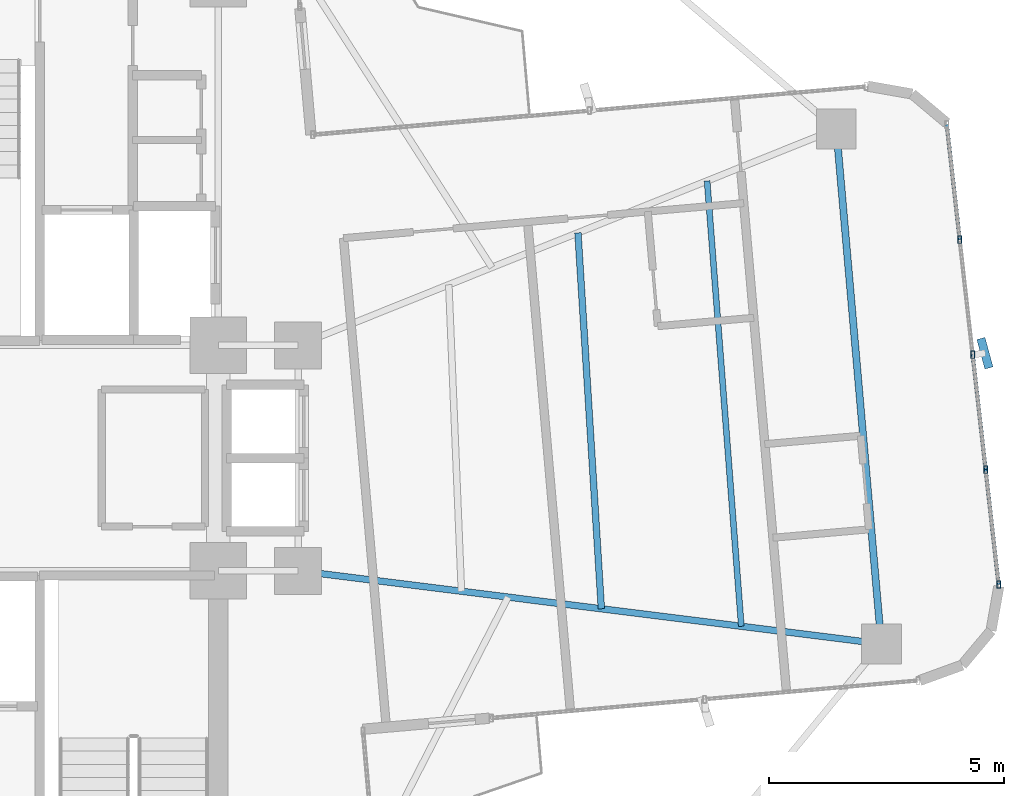
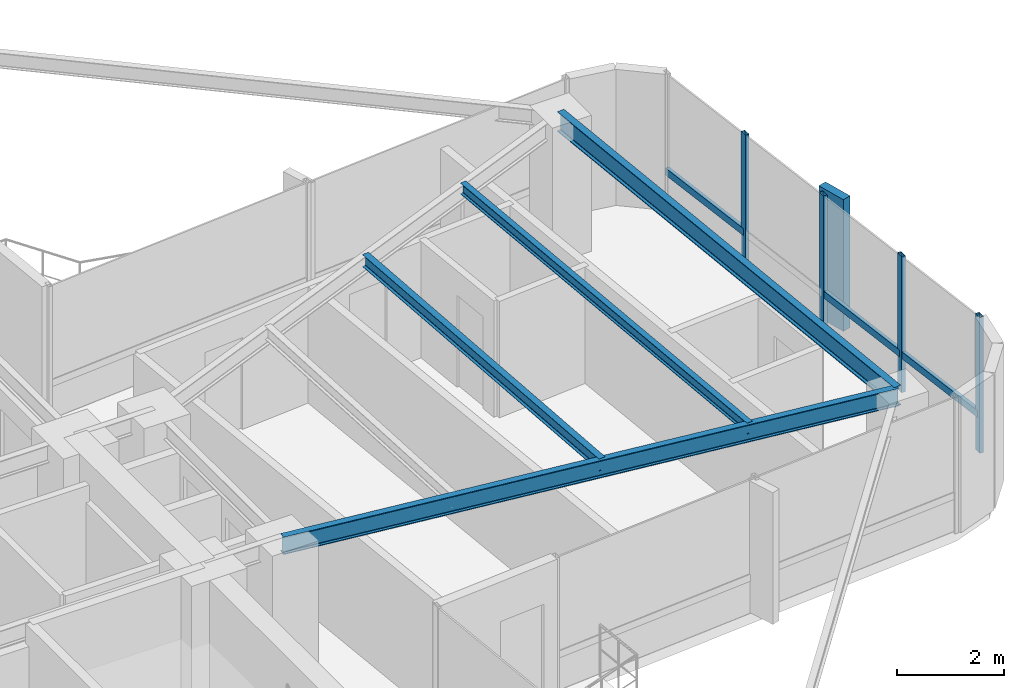
# One storey, part 14 of 24: 8 members, 4 beams, 1 element without a shape of its own.
"""IFC4 building model written with IfcOpenShell, lengths in metres."""

from ifc_helpers import new_model, si_unit, direction, frame, origin, origin_2d, place, context, subcontext, project, spatial, rectangle, hollow_rectangle, i_section, extrude, source, transform, mapped, material, material_profile, profile_set, type_object, element, aggregate, save


model = new_model("IFC4")

# Units and contexts
model_context = context("Model", 3, precision=1e-05, world=origin(), true_north=direction((0.0, 1.0)))
body_context = subcontext(model_context, "Body", "Model", "MODEL_VIEW")
ifc_project = project(units=[si_unit("LENGTHUNIT", "METRE"), si_unit("AREAUNIT", "SQUARE_METRE"), si_unit("VOLUMEUNIT", "CUBIC_METRE"), si_unit("PLANEANGLEUNIT", "RADIAN"), si_unit("MASSUNIT", "GRAM", prefix="KILO")], contexts=[model_context])

# Site, building, storey
site_placement = place(None, origin())
site = spatial("IfcSite", under=ifc_project, at=site_placement, CompositionType="ELEMENT")
building_placement = place(site_placement, origin())
building = spatial("IfcBuilding", under=site, at=building_placement, Name="Sahyath Konkavel Grand Hotel", CompositionType="ELEMENT")
storey_placement = place(building_placement, frame((0.0, 0.0, 150.60009765625)))
storey = spatial("IfcBuildingStorey", under=building, at=storey_placement, Name="L41", CompositionType="ELEMENT", Elevation=150.60009765625)

# Beams
ifc_material_1 = material(Name="Steel E350", Category="steel")
ifc_material_profile_1 = material_profile(ifc_material_1, i_section(OverallWidth=0.139892578125, OverallDepth=0.39990234375, WebThickness=0.0087890625, FlangeThickness=0.01611328125, FilletRadius=0.013916015625, at=origin_2d()), Name="ISMB 400")
ifc_profile_set_1 = profile_set([ifc_material_profile_1], Name="Steel E350")
beam_type_1 = type_object("IfcBeamType", Name="BM-ISMB400", PredefinedType="BEAM", material=ifc_profile_set_1)
shared_shape_1 = source(origin(), body_context, "Body", "SweptSolid", [
    extrude(i_section(OverallWidth=0.139892578125, OverallDepth=0.39990234375, WebThickness=0.0087890625, FlangeThickness=0.01611328125, FilletRadius=0.013916015625, at=origin_2d()), origin(), (0.0, 0.0, 1.0), 12.509765625),
])
beam_1_placement = place(storey_placement, frame((5.5, -2.39990234375, 2.909912109375), z_axis=(0.992254740459, -0.124219684578, 0.0), x_axis=(0.124219684578, 0.992254740459, 0.0)))
element("IfcBeam", 1, at=beam_1_placement, inside=storey, type_object=beam_type_1, Name="L41 Cruciform Radial Girder EA", PredefinedType="BEAM", context=body_context, shape_type="MappedRepresentation", body=[
    mapped(shared_shape_1, transform((0.0, 0.0, 0.0), scale=1.0)),
])
ifc_material_profile_2 = material_profile(ifc_material_1, i_section(OverallWidth=0.14990234375, OverallDepth=0.449951171875, WebThickness=0.009521484375, FlangeThickness=0.017333984375, FilletRadius=0.014892578125, at=origin_2d()), Name="ISMB 450")
ifc_profile_set_2 = profile_set([ifc_material_profile_2], Name="Steel E350")
beam_type_2 = type_object("IfcBeamType", Name="BM-ISMB450", PredefinedType="BEAM", material=ifc_profile_set_2)
shared_shape_2 = source(origin(), body_context, "Body", "SweptSolid", [
    extrude(i_section(OverallWidth=0.14990234375, OverallDepth=0.449951171875, WebThickness=0.009521484375, FlangeThickness=0.017333984375, FilletRadius=0.014892578125, at=origin_2d()), origin(), (0.0, 0.0, 1.0), 11.0),
])
beam_2_placement = place(storey_placement, frame((17.912841796875, -3.953857421875, 2.885009765625), z_axis=(-0.087157314015, 0.996194560622, 0.0), x_axis=(-0.996194560622, -0.087157314015, 0.0)))
element("IfcBeam", 2, at=beam_2_placement, inside=storey, type_object=beam_type_2, Name="L41 Wing Tip Edge Beam E", PredefinedType="BEAM", context=body_context, shape_type="MappedRepresentation", body=[
    mapped(shared_shape_2, transform((0.0, 0.0, 0.0), scale=1.0)),
])
ifc_material_profile_3 = material_profile(ifc_material_1, i_section(OverallWidth=0.139892578125, OverallDepth=0.27490234375, WebThickness=0.00634765625, FlangeThickness=0.0087890625, FilletRadius=0.012939453125, at=origin_2d()), Name="ISLB 275")
ifc_profile_set_3 = profile_set([ifc_material_profile_3], Name="Steel E350")
beam_type_3 = type_object("IfcBeamType", Name="BM-ISLB275", PredefinedType="BEAM", material=ifc_profile_set_3)
shared_shape_3 = source(origin(), body_context, "Body", "SweptSolid", [
    extrude(i_section(OverallWidth=0.139892578125, OverallDepth=0.27490234375, WebThickness=0.00634765625, FlangeThickness=0.0087890625, FilletRadius=0.012939453125, at=origin_2d()), origin(), (0.0, 0.0, 1.0), 8.017822265625),
])
beam_3_placement = place(storey_placement, frame((11.95458984375, -3.2080078125, 2.972412109375), z_axis=(-0.062179233264, 0.998064999362, 0.0), x_axis=(-0.998064999362, -0.062179233264, 0.0)))
element("IfcBeam", 3, at=beam_3_placement, inside=storey, type_object=beam_type_3, Name="L41 Secondary Floor Beam E-2", PredefinedType="BEAM", context=body_context, shape_type="MappedRepresentation", body=[
    mapped(shared_shape_3, transform((0.0, 0.0, 0.0), scale=1.0)),
])
ifc_material_profile_4 = material_profile(ifc_material_1, i_section(OverallWidth=0.125, OverallDepth=0.25, WebThickness=0.0068359375, FlangeThickness=0.012451171875, FilletRadius=0.012939453125, at=origin_2d()), Name="ISMB 250")
ifc_profile_set_4 = profile_set([ifc_material_profile_4], Name="Steel E350")
beam_type_4 = type_object("IfcBeamType", Name="BM-ISMB250", PredefinedType="BEAM", material=ifc_profile_set_4)
shared_shape_4 = source(origin(), body_context, "Body", "SweptSolid", [
    extrude(i_section(OverallWidth=0.125, OverallDepth=0.25, WebThickness=0.0068359375, FlangeThickness=0.012451171875, FilletRadius=0.012939453125, at=origin_2d()), origin(), (0.0, 0.0, 1.0), 9.508056640625),
])
beam_4_placement = place(storey_placement, frame((14.93359375, -3.580810546875, 2.98486328125), z_axis=(-0.076619921029, 0.997060373148, 0.0), x_axis=(-0.997060373148, -0.076619921029, 0.0)))
element("IfcBeam", 4, at=beam_4_placement, inside=storey, type_object=beam_type_4, Name="L41 Secondary Floor Beam E-3", PredefinedType="BEAM", context=body_context, shape_type="MappedRepresentation", body=[
    mapped(shared_shape_4, transform((0.0, 0.0, 0.0), scale=1.0)),
])

# Curtain wall, members
ifc_material_2 = material(Name="Anodised Bronze Aluminium & Low-E Glazing", Category="aluminium")
curtain_wall_type = type_object("IfcCurtainWallType", Name="CW-ZONE3", PredefinedType="NOTDEFINED", material=ifc_material_2)
curtain_wall_placement = place(storey_placement, origin())
curtain_wall = element("IfcCurtainWall", 5, at=curtain_wall_placement, inside=storey, type_object=curtain_wall_type, Name="L41 Unitised Curtain Wall F4", PredefinedType="NOTDEFINED")
ifc_material_3 = material(Name="Anodised Bronze Aluminium", Category="aluminium")
ifc_material_profile_5 = material_profile(ifc_material_3, hollow_rectangle(XDim=0.080078125, YDim=0.159912109375, WallThickness=0.006103515625, at=origin_2d()), Name="RHS 160x80x6")
ifc_profile_set_5 = profile_set([ifc_material_profile_5], Name="Anodised Bronze Aluminium")
member_type_1 = type_object("IfcMemberType", Name="CW-MUL-160", PredefinedType="MULLION", material=ifc_profile_set_5)
shared_shape_5 = source(origin(), body_context, "Body", "SweptSolid", [
    extrude(hollow_rectangle(XDim=0.080078125, YDim=0.159912109375, WallThickness=0.006103515625, at=origin_2d()), origin(), (0.0, 0.0, 1.0), 3.10986328125),
])
member_1_placement = place(storey_placement, frame((20.4111328125, -2.69140625, 0.0), z_axis=(0.0, 0.0, 1.0), x_axis=(1.0, 0.0, 0.0)))
member_1 = element("IfcMember", 6, at=member_1_placement, type_object=member_type_1, Name="L41 Curtain Wall Mullion F4-0", PredefinedType="MULLION", context=body_context, shape_type="MappedRepresentation", body=[
    mapped(shared_shape_5, transform((0.0, 0.0, 0.0), scale=1.0)),
])
member_2_placement = place(storey_placement, frame((20.135498046875, -0.24462890625, 0.0), z_axis=(0.0, 0.0, 1.0), x_axis=(1.0, 0.0, 0.0)))
member_2 = element("IfcMember", 7, at=member_2_placement, type_object=member_type_1, Name="L41 Curtain Wall Mullion F4-1", PredefinedType="MULLION", context=body_context, shape_type="MappedRepresentation", body=[
    mapped(shared_shape_5, transform((0.0, 0.0, 0.0), scale=1.0)),
])
member_3_placement = place(storey_placement, frame((19.859619140625, 2.201904296875, 0.0), z_axis=(0.0, 0.0, 1.0), x_axis=(1.0, 0.0, 0.0)))
member_3 = element("IfcMember", 8, at=member_3_placement, type_object=member_type_1, Name="L41 Curtain Wall Mullion F4-2", PredefinedType="MULLION", context=body_context, shape_type="MappedRepresentation", body=[
    mapped(shared_shape_5, transform((0.0, 0.0, 0.0), scale=1.0)),
])
member_4_placement = place(storey_placement, frame((19.583984375, 4.648193359375, 0.0), z_axis=(0.0, 0.0, 1.0), x_axis=(1.0, 0.0, 0.0)))
member_4 = element("IfcMember", 9, at=member_4_placement, type_object=member_type_1, Name="L41 Curtain Wall Mullion F4-3", PredefinedType="MULLION", context=body_context, shape_type="MappedRepresentation", body=[
    mapped(shared_shape_5, transform((0.0, 0.0, 0.0), scale=1.0)),
])
ifc_material_4 = material(Name="Warm Buff Sandstone Cladding on Concrete C50/60", Category="masonry")
ifc_material_profile_6 = material_profile(ifc_material_4, rectangle(XDim=0.179931640625, YDim=0.64990234375, at=origin_2d()), Name="FIN 180x650")
ifc_profile_set_6 = profile_set([ifc_material_profile_6], Name="Warm Buff Sandstone Cladding on Concrete C50/60")
member_type_2 = type_object("IfcMemberType", Name="FIN-SANDSTONE-650", PredefinedType="MULLION", material=ifc_profile_set_6)
shared_shape_6 = source(origin(), body_context, "Body", "SweptSolid", [
    extrude(rectangle(XDim=0.179931640625, YDim=0.64990234375, at=origin_2d()), origin(), (0.0, 0.0, 1.0), 3.010009765625),
])
member_5_placement = place(storey_placement, frame((20.1181640625, 2.23095703125, 0.0498046875), z_axis=(0.0, 0.0, 1.0), x_axis=(0.965016494472, 0.262189178641, 0.0)))
member_5 = element("IfcMember", 10, at=member_5_placement, type_object=member_type_2, Name="L41 Sandstone Vertical Solar Fin FIN F4-2", PredefinedType="MULLION", context=body_context, shape_type="MappedRepresentation", body=[
    mapped(shared_shape_6, transform((0.0, 0.0, 0.0), scale=1.0)),
])
ifc_material_profile_7 = material_profile(ifc_material_3, hollow_rectangle(XDim=0.080078125, YDim=0.159912109375, WallThickness=0.006103515625, at=origin_2d()), Name="RHS 160x80x6")
ifc_profile_set_7 = profile_set([ifc_material_profile_7], Name="Anodised Bronze Aluminium")
member_type_3 = type_object("IfcMemberType", Name="CW-TRN-160", PredefinedType="USERDEFINED", material=ifc_profile_set_7)
shared_shape_7 = source(origin(), body_context, "Body", "SweptSolid", [
    extrude(hollow_rectangle(XDim=0.080078125, YDim=0.159912109375, WallThickness=0.006103515625, at=origin_2d()), origin(), (0.0, 0.0, 1.0), 2.462158203125),
])
member_6_placement = place(storey_placement, frame((20.4111328125, -2.69140625, 0.849853515625), z_axis=(-0.11194409079, 0.993714506555, 0.0), x_axis=(-0.993714506555, -0.11194409079, 0.0)))
member_6 = element("IfcMember", 11, at=member_6_placement, type_object=member_type_3, Name="L41 Curtain Wall Transom F4-0-spandrel", ObjectType="TRANSOM", PredefinedType="USERDEFINED", context=body_context, shape_type="MappedRepresentation", body=[
    mapped(shared_shape_7, transform((0.0, 0.0, 0.0), scale=1.0)),
])
member_7_placement = place(storey_placement, frame((20.135498046875, -0.24462890625, 0.849853515625), z_axis=(-0.112053040279, 0.99370222711, 0.0), x_axis=(-0.99370222711, -0.112053040279, 0.0)))
member_7 = element("IfcMember", 12, at=member_7_placement, type_object=member_type_3, Name="L41 Curtain Wall Transom F4-1-spandrel", ObjectType="TRANSOM", PredefinedType="USERDEFINED", context=body_context, shape_type="MappedRepresentation", body=[
    mapped(shared_shape_7, transform((0.0, 0.0, 0.0), scale=1.0)),
])
member_8_placement = place(storey_placement, frame((19.583984375, 4.648193359375, 0.849853515625), z_axis=(-0.11194409079, 0.993714506555, 0.0), x_axis=(-0.993714506555, -0.11194409079, 0.0)))
member_8 = element("IfcMember", 13, at=member_8_placement, type_object=member_type_3, Name="L41 Curtain Wall Transom F4-3-spandrel", ObjectType="TRANSOM", PredefinedType="USERDEFINED", context=body_context, shape_type="MappedRepresentation", body=[
    mapped(shared_shape_7, transform((0.0, 0.0, 0.0), scale=1.0)),
])
aggregate(curtain_wall, [member_1, member_2, member_3, member_5, member_4, member_6, member_7, member_8])

save(model, "model.ifc")
